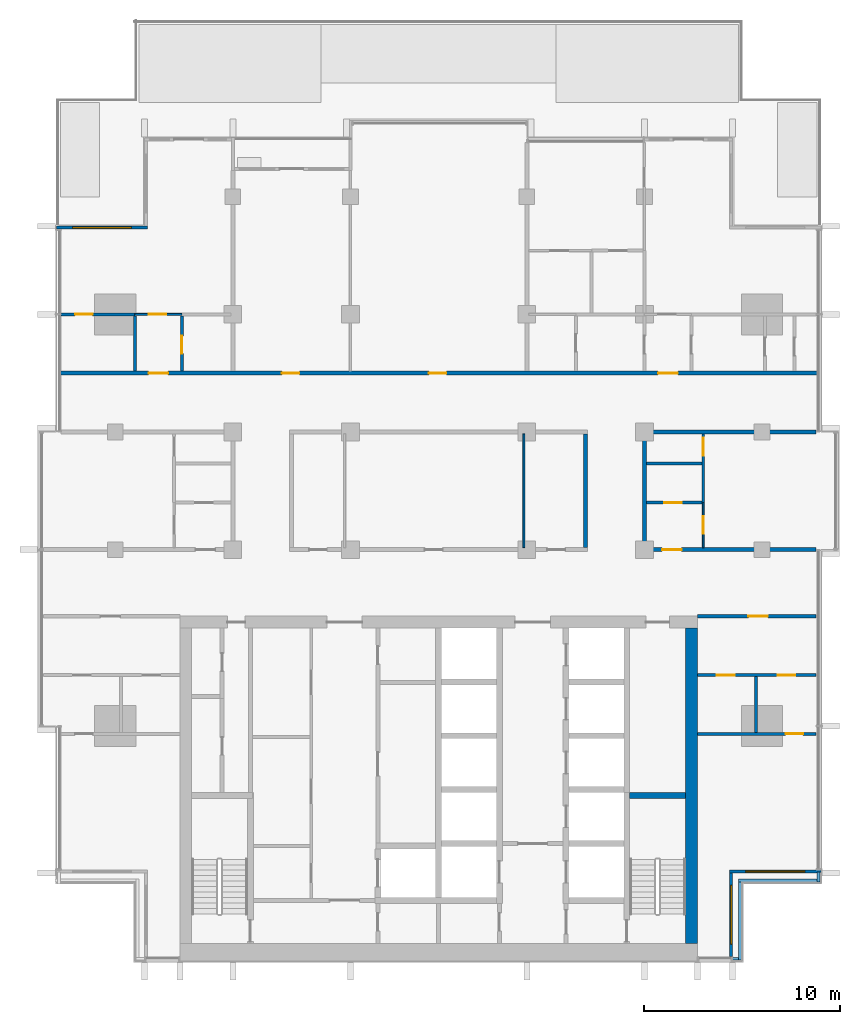
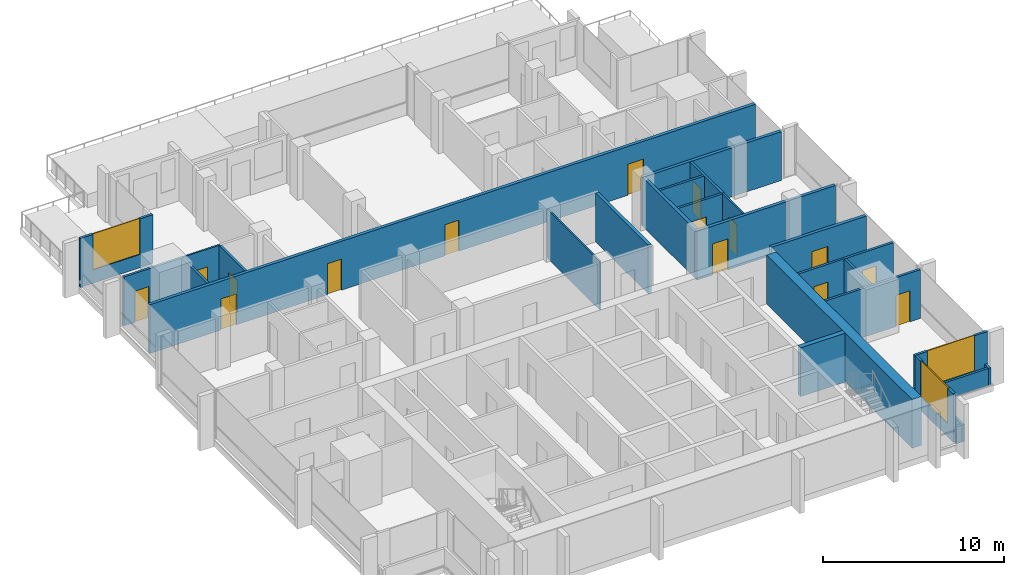
# One storey, part 9 of 17: 27 walls, 15 doors, 3 windows, 18 openings.
"""IFC4 building model written with IfcOpenShell, lengths in metres."""

from ifc_helpers import new_model, si_unit, direction, frame, frame_2d, origin, place, context, subcontext, project, spatial, rectangle, extrude, material, layer, layer_set, type_object, element, fill, save


model = new_model("IFC4")

# Units and contexts
model_context = context("Model", 3, precision=1e-05, world=origin(), true_north=direction((0.0, 1.0)))
body_context = subcontext(model_context, "Body", "Model", "MODEL_VIEW")
ifc_project = project(units=[si_unit("LENGTHUNIT", "METRE"), si_unit("AREAUNIT", "SQUARE_METRE"), si_unit("VOLUMEUNIT", "CUBIC_METRE"), si_unit("PLANEANGLEUNIT", "RADIAN"), si_unit("MASSUNIT", "GRAM", prefix="KILO")], contexts=[model_context])

# Site, building, storey
site_placement = place(None, origin())
site = spatial("IfcSite", under=ifc_project, at=site_placement, CompositionType="ELEMENT")
building_placement = place(site_placement, origin())
building = spatial("IfcBuilding", under=site, at=building_placement, Name="Finial Court Residences", CompositionType="ELEMENT")
storey_placement = place(building_placement, frame((0.0, 0.0, 205.10009765625)))
storey = spatial("IfcBuildingStorey", under=building, at=storey_placement, Name="L51", CompositionType="ELEMENT", Elevation=205.10009765625)

# Wall
ifc_material_1 = material(Name="Concrete C60/75", Category="concrete")
ifc_layer_1 = layer(ifc_material_1, 0.60009765625)
ifc_layer_set_1 = layer_set([ifc_layer_1], Name="Core outer wall 600 Concrete C60/75")
wall_type_1 = type_object("IfcWallType", Name="Core outer wall 600 Concrete C60/75", PredefinedType="SHEAR", material=ifc_layer_set_1)
wall_1_placement = place(storey_placement, frame((12.89990234375, -24.60009765625, 0.0), z_axis=(0.0, 0.0, 1.0), x_axis=(0.0, 1.0, 0.0)))
element("IfcWall", 1, at=wall_1_placement, inside=storey, type_object=wall_type_1, Name="Core outer wall L51-04", PredefinedType="SHEAR", context=body_context, shape_type="SweptSolid", body=[
    extrude(rectangle(XDim=16.10009765625, YDim=0.60009765625, at=frame_2d((8.050048828125, 0.0))), origin(), (0.0, 0.0, 1.0), 3.2998046875),
])

# Wall, opening, door
ifc_material_2 = material(Name="Gypsum board")
ifc_layer_2 = layer(ifc_material_2, 0.02490234375)
ifc_material_3 = material(Name="Acoustic mineral wool in double frame")
ifc_layer_3 = layer(ifc_material_3, 0.14990234375)
ifc_layer_4 = layer(ifc_material_2, 0.02490234375)
ifc_layer_set_2 = layer_set([ifc_layer_2, ifc_layer_3, ifc_layer_4], Name="Corridor wall 200, 1 hour")
wall_type_2 = type_object("IfcWallType", Name="Corridor wall 200, 1 hour", PredefinedType="PARTITIONING", material=ifc_layer_set_2)
wall_2_placement = place(storey_placement, frame((13.199951171875, -7.89990234375, 0.0), z_axis=(0.0, 0.0, 1.0), x_axis=(1.0, 0.0, 0.0)))
wall_2 = element("IfcWall", 2, at=wall_2_placement, inside=storey, type_object=wall_type_2, Name="Partition L51-005", PredefinedType="PARTITIONING", context=body_context, shape_type="SweptSolid", body=[
    extrude(rectangle(XDim=6.0625, YDim=0.199951171875, at=frame_2d((3.03125, 0.0))), origin(), (0.0, 0.0, 1.0), 3.2998046875),
])
opening_1_placement = place(wall_2_placement, frame((2.60009765625, 0.0, 0.0)))
opening_1 = element("IfcOpeningElement", 3, at=opening_1_placement, cuts=wall_2, Name="Opening L51-D008", PredefinedType="OPENING", context=body_context, shape_type="SweptSolid", body=[
    extrude(rectangle(XDim=1.0, YDim=2.10009765625, at=frame_2d((0.5, 1.050048828125))), frame((0.0, 0.10986328125, 0.0), z_axis=(0.0, -1.0, 0.0), x_axis=(1.0, 0.0, 0.0)), (0.0, 0.0, 1.0), 0.219970703125),
])
ifc_material_4 = material(Name="Timber door leaf in hollow metal frame", Category="wood")
door_type_1 = type_object("IfcDoorType", Name="Fire door set 1000 x 2100, 30 minutes", OperationType="SINGLE_SWING_LEFT", PredefinedType="DOOR", material=ifc_material_4)
door_1_placement = place(opening_1_placement, origin())
door_1 = element("IfcDoor", 4, at=door_1_placement, inside=storey, type_object=door_type_1, Name="Door L51-D008", OperationType="SINGLE_SWING_RIGHT", OverallHeight=2.10009765625, OverallWidth=1.0, PredefinedType="DOOR", context=body_context, shape_type="SweptSolid", body=[
    extrude(rectangle(XDim=1.0, YDim=2.10009765625, at=frame_2d((0.5, 1.050048828125))), frame((0.0, 0.02490234375, 0.0), z_axis=(0.0, -1.0, 0.0), x_axis=(1.0, 0.0, 0.0)), (0.0, 0.0, 1.0), 0.050048828125),
])
fill(opening_1, door_1)

wall_3_placement = place(storey_placement, frame((10.39990234375, -4.5, 0.0), z_axis=(0.0, 0.0, 1.0), x_axis=(1.0, 0.0, 0.0)))
wall_3 = element("IfcWall", 5, at=wall_3_placement, inside=storey, type_object=wall_type_2, Name="Partition L51-008", PredefinedType="PARTITIONING", context=body_context, shape_type="SweptSolid", body=[
    extrude(rectangle(XDim=8.862548828125, YDim=0.199951171875, at=frame_2d((4.43115234375, 0.0))), origin(), (0.0, 0.0, 1.0), 3.2998046875),
])
opening_2_placement = place(wall_3_placement, frame((1.0, 0.0, 0.0)))
opening_2 = element("IfcOpeningElement", 6, at=opening_2_placement, cuts=wall_3, Name="Opening L51-D013", PredefinedType="OPENING", context=body_context, shape_type="SweptSolid", body=[
    extrude(rectangle(XDim=1.0, YDim=2.10009765625, at=frame_2d((0.5, 1.050048828125))), frame((0.0, 0.10986328125, 0.0), z_axis=(0.0, -1.0, 0.0), x_axis=(1.0, 0.0, 0.0)), (0.0, 0.0, 1.0), 0.219970703125),
])
door_2_placement = place(opening_2_placement, origin())
door_2 = element("IfcDoor", 7, at=door_2_placement, inside=storey, type_object=door_type_1, Name="Door L51-D013", OperationType="SINGLE_SWING_RIGHT", OverallHeight=2.10009765625, OverallWidth=1.0, PredefinedType="DOOR", context=body_context, shape_type="SweptSolid", body=[
    extrude(rectangle(XDim=1.0, YDim=2.10009765625, at=frame_2d((0.5, 1.050048828125))), frame((0.0, 0.02490234375, 0.0), z_axis=(0.0, -1.0, 0.0), x_axis=(1.0, 0.0, 0.0)), (0.0, 0.0, 1.0), 0.050048828125),
])
fill(opening_2, door_2)

# Wall
wall_4_placement = place(storey_placement, frame((10.39990234375, 1.5, 0.0), z_axis=(0.0, 0.0, 1.0), x_axis=(1.0, 0.0, 0.0)))
element("IfcWall", 8, at=wall_4_placement, inside=storey, type_object=wall_type_2, Name="Partition L51-015", PredefinedType="PARTITIONING", context=body_context, shape_type="SweptSolid", body=[
    extrude(rectangle(XDim=8.862548828125, YDim=0.199951171875, at=frame_2d((4.43115234375, 0.0))), origin(), (0.0, 0.0, 1.0), 3.2998046875),
])

# Wall, openings, doors
wall_5_placement = place(storey_placement, frame((-19.35009765625, 4.5, 0.0), z_axis=(0.0, 0.0, 1.0), x_axis=(1.0, 0.0, 0.0)))
wall_5 = element("IfcWall", 9, at=wall_5_placement, inside=storey, type_object=wall_type_2, Name="Partition L51-016", PredefinedType="PARTITIONING", context=body_context, shape_type="SweptSolid", body=[
    extrude(rectangle(XDim=38.7001953125, YDim=0.199951171875, at=frame_2d((19.35009765625, 0.0))), origin(), (0.0, 0.0, 1.0), 3.2998046875),
])
opening_3_placement = place(wall_5_placement, frame((4.550048828125, 0.0, 0.0)))
opening_3 = element("IfcOpeningElement", 10, at=opening_3_placement, cuts=wall_5, Name="Opening L51-D016", PredefinedType="OPENING", context=body_context, shape_type="SweptSolid", body=[
    extrude(rectangle(XDim=1.0, YDim=2.10009765625, at=frame_2d((0.5, 1.050048828125))), frame((0.0, 0.10986328125, 0.0), z_axis=(0.0, -1.0, 0.0), x_axis=(1.0, 0.0, 0.0)), (0.0, 0.0, 1.0), 0.219970703125),
])
opening_4_placement = place(wall_5_placement, frame((11.35009765625, 0.0, 0.0)))
opening_4 = element("IfcOpeningElement", 11, at=opening_4_placement, cuts=wall_5, Name="Opening L51-D017", PredefinedType="OPENING", context=body_context, shape_type="SweptSolid", body=[
    extrude(rectangle(XDim=0.89990234375, YDim=2.10009765625, at=frame_2d((0.449951171875, 1.050048828125))), frame((0.0, 0.10986328125, 0.0), z_axis=(0.0, -1.0, 0.0), x_axis=(1.0, 0.0, 0.0)), (0.0, 0.0, 1.0), 0.219970703125),
])
opening_5_placement = place(wall_5_placement, frame((18.85009765625, 0.0, 0.0)))
opening_5 = element("IfcOpeningElement", 12, at=opening_5_placement, cuts=wall_5, Name="Opening L51-D018", PredefinedType="OPENING", context=body_context, shape_type="SweptSolid", body=[
    extrude(rectangle(XDim=0.89990234375, YDim=2.10009765625, at=frame_2d((0.449951171875, 1.050048828125))), frame((0.0, 0.10986328125, 0.0), z_axis=(0.0, -1.0, 0.0), x_axis=(1.0, 0.0, 0.0)), (0.0, 0.0, 1.0), 0.219970703125),
])
opening_6_placement = place(wall_5_placement, frame((30.550048828125, 0.0, 0.0)))
opening_6 = element("IfcOpeningElement", 13, at=opening_6_placement, cuts=wall_5, Name="Opening L51-D019", PredefinedType="OPENING", context=body_context, shape_type="SweptSolid", body=[
    extrude(rectangle(XDim=1.0, YDim=2.10009765625, at=frame_2d((0.5, 1.050048828125))), frame((0.0, 0.10986328125, 0.0), z_axis=(0.0, -1.0, 0.0), x_axis=(1.0, 0.0, 0.0)), (0.0, 0.0, 1.0), 0.219970703125),
])
door_3_placement = place(opening_3_placement, origin())
door_3 = element("IfcDoor", 14, at=door_3_placement, inside=storey, type_object=door_type_1, Name="Door L51-D016", OperationType="SINGLE_SWING_RIGHT", OverallHeight=2.10009765625, OverallWidth=1.0, PredefinedType="DOOR", context=body_context, shape_type="SweptSolid", body=[
    extrude(rectangle(XDim=1.0, YDim=2.10009765625, at=frame_2d((0.5, 1.050048828125))), frame((0.0, 0.02490234375, 0.0), z_axis=(0.0, -1.0, 0.0), x_axis=(1.0, 0.0, 0.0)), (0.0, 0.0, 1.0), 0.050048828125),
])
fill(opening_3, door_3)
door_4_placement = place(opening_6_placement, origin())
door_4 = element("IfcDoor", 15, at=door_4_placement, inside=storey, type_object=door_type_1, Name="Door L51-D019", OperationType="SINGLE_SWING_LEFT", OverallHeight=2.10009765625, OverallWidth=1.0, PredefinedType="DOOR", context=body_context, shape_type="SweptSolid", body=[
    extrude(rectangle(XDim=1.0, YDim=2.10009765625, at=frame_2d((0.5, 1.050048828125))), frame((0.0, 0.02490234375, 0.0), z_axis=(0.0, -1.0, 0.0), x_axis=(1.0, 0.0, 0.0)), (0.0, 0.0, 1.0), 0.050048828125),
])
fill(opening_6, door_4)
door_type_2 = type_object("IfcDoorType", Name="Fire door set 900 x 2100, 30 minutes", OperationType="SINGLE_SWING_LEFT", PredefinedType="DOOR", material=ifc_material_4)
door_5_placement = place(opening_4_placement, origin())
door_5 = element("IfcDoor", 16, at=door_5_placement, inside=storey, type_object=door_type_2, Name="Door L51-D017", OperationType="SINGLE_SWING_RIGHT", OverallHeight=2.10009765625, OverallWidth=0.89990234375, PredefinedType="DOOR", context=body_context, shape_type="SweptSolid", body=[
    extrude(rectangle(XDim=0.89990234375, YDim=2.10009765625, at=frame_2d((0.449951171875, 1.050048828125))), frame((0.0, 0.02490234375, 0.0), z_axis=(0.0, -1.0, 0.0), x_axis=(1.0, 0.0, 0.0)), (0.0, 0.0, 1.0), 0.050048828125),
])
fill(opening_4, door_5)
door_6_placement = place(opening_5_placement, origin())
door_6 = element("IfcDoor", 17, at=door_6_placement, inside=storey, type_object=door_type_2, Name="Door L51-D018", OperationType="SINGLE_SWING_LEFT", OverallHeight=2.10009765625, OverallWidth=0.89990234375, PredefinedType="DOOR", context=body_context, shape_type="SweptSolid", body=[
    extrude(rectangle(XDim=0.89990234375, YDim=2.10009765625, at=frame_2d((0.449951171875, 1.050048828125))), frame((0.0, 0.02490234375, 0.0), z_axis=(0.0, -1.0, 0.0), x_axis=(1.0, 0.0, 0.0)), (0.0, 0.0, 1.0), 0.050048828125),
])
fill(opening_5, door_6)

# Walls
for number, where, z_axis, x_axis, name in (
    (18, (7.5, -4.39990234375, 0.0), (0.0, 0.0, 1.0), (0.0, 1.0, 0.0), "Partition L51-039"),
    (19, (10.5, -4.39990234375, 0.0), (0.0, 0.0, 1.0), (0.0, 1.0, 0.0), "Partition L51-041"),
):
    element("IfcWall", number, at=place(storey_placement, frame(where, z_axis=z_axis, x_axis=x_axis)), inside=storey, type_object=wall_type_2, Name=name, PredefinedType="PARTITIONING", context=body_context, shape_type="SweptSolid", body=[
        extrude(rectangle(XDim=5.7998046875, YDim=0.199951171875, at=frame_2d((2.89990234375, 0.0))), origin(), (0.0, 0.0, 1.0), 3.2998046875),
    ])

# Wall, opening, door
ifc_layer_5 = layer(ifc_material_2, 0.012451171875)
ifc_material_5 = material(Name="Mineral wool in light-gauge frame")
ifc_layer_6 = layer(ifc_material_5, 0.074951171875)
ifc_layer_7 = layer(ifc_material_2, 0.012451171875)
ifc_layer_set_3 = layer_set([ifc_layer_5, ifc_layer_6, ifc_layer_7], Name="Gypsum board partition 100")
wall_type_3 = type_object("IfcWallType", Name="Gypsum board partition 100", PredefinedType="PARTITIONING", material=ifc_layer_set_3)
wall_6_placement = place(storey_placement, frame((-15.5, 7.5, 0.0), z_axis=(0.0, 0.0, 1.0), x_axis=(1.0, 0.0, 0.0)))
wall_6 = element("IfcWall", 20, at=wall_6_placement, inside=storey, type_object=wall_type_3, Name="Partition L51-017", PredefinedType="PARTITIONING", context=body_context, shape_type="SweptSolid", body=[
    extrude(rectangle(XDim=2.39990234375, YDim=0.10009765625, at=frame_2d((1.199951171875, 0.0))), origin(), (0.0, 0.0, 1.0), 3.2998046875),
])
opening_7_placement = place(wall_6_placement, frame((0.699951171875, 0.0, 0.0)))
opening_7 = element("IfcOpeningElement", 21, at=opening_7_placement, cuts=wall_6, Name="Opening L51-D020", PredefinedType="OPENING", context=body_context, shape_type="SweptSolid", body=[
    extrude(rectangle(XDim=0.89990234375, YDim=2.10009765625, at=frame_2d((0.449951171875, 1.050048828125))), frame((0.0, 0.06005859375, 0.0), z_axis=(0.0, -1.0, 0.0), x_axis=(1.0, 0.0, 0.0)), (0.0, 0.0, 1.0), 0.1201171875),
])
ifc_material_6 = material(Name="Timber door leaf in timber frame", Category="wood")
door_type_3 = type_object("IfcDoorType", Name="Door set 900 x 2100", OperationType="SINGLE_SWING_LEFT", PredefinedType="DOOR", material=ifc_material_6)
door_7_placement = place(opening_7_placement, origin())
door_7 = element("IfcDoor", 22, at=door_7_placement, inside=storey, type_object=door_type_3, Name="Door L51-D020", OperationType="SINGLE_SWING_RIGHT", OverallHeight=2.10009765625, OverallWidth=0.89990234375, PredefinedType="DOOR", context=body_context, shape_type="SweptSolid", body=[
    extrude(rectangle(XDim=0.89990234375, YDim=2.10009765625, at=frame_2d((0.449951171875, 1.050048828125))), frame((0.0, 0.02490234375, 0.0), z_axis=(0.0, -1.0, 0.0), x_axis=(1.0, 0.0, 0.0)), (0.0, 0.0, 1.0), 0.050048828125),
])
fill(opening_7, door_7)

# Wall
wall_7_placement = place(storey_placement, frame((4.35009765625, -4.39990234375, 0.0), z_axis=(0.0, 0.0, 1.0), x_axis=(0.0, 1.0, 0.0)))
element("IfcWall", 23, at=wall_7_placement, inside=storey, type_object=wall_type_3, Name="Partition L51-036", PredefinedType="PARTITIONING", context=body_context, shape_type="SweptSolid", body=[
    extrude(rectangle(XDim=5.7998046875, YDim=0.10009765625, at=frame_2d((2.89990234375, 0.0))), origin(), (0.0, 0.0, 1.0), 3.2998046875),
])

# Wall, opening, door
wall_8_placement = place(storey_placement, frame((13.5, -4.39990234375, 0.0), z_axis=(0.0, 0.0, 1.0), x_axis=(0.0, 1.0, 0.0)))
wall_8 = element("IfcWall", 24, at=wall_8_placement, inside=storey, type_object=wall_type_3, Name="Partition L51-046", PredefinedType="PARTITIONING", context=body_context, shape_type="SweptSolid", body=[
    extrude(rectangle(XDim=2.2998046875, YDim=0.10009765625, at=frame_2d((1.14990234375, 0.0))), origin(), (0.0, 0.0, 1.0), 3.2998046875),
])
opening_8_placement = place(wall_8_placement, frame((0.699951171875, 0.0, 0.0)))
opening_8 = element("IfcOpeningElement", 25, at=opening_8_placement, cuts=wall_8, Name="Opening L51-D032", PredefinedType="OPENING", context=body_context, shape_type="SweptSolid", body=[
    extrude(rectangle(XDim=0.89990234375, YDim=2.10009765625, at=frame_2d((0.449951171875, 1.050048828125))), frame((0.0, 0.06005859375, 0.0), z_axis=(0.0, -1.0, 0.0), x_axis=(1.0, 0.0, 0.0)), (0.0, 0.0, 1.0), 0.1201171875),
])
door_8_placement = place(opening_8_placement, origin())
door_8 = element("IfcDoor", 26, at=door_8_placement, inside=storey, type_object=door_type_3, Name="Door L51-D032", OperationType="SINGLE_SWING_LEFT", OverallHeight=2.10009765625, OverallWidth=0.89990234375, PredefinedType="DOOR", context=body_context, shape_type="SweptSolid", body=[
    extrude(rectangle(XDim=0.89990234375, YDim=2.10009765625, at=frame_2d((0.449951171875, 1.050048828125))), frame((0.0, 0.02490234375, 0.0), z_axis=(0.0, -1.0, 0.0), x_axis=(1.0, 0.0, 0.0)), (0.0, 0.0, 1.0), 0.050048828125),
])
fill(opening_8, door_8)

ifc_material_7 = material(Name="Moisture-resistant gypsum board")
ifc_layer_8 = layer(ifc_material_7, 0.012451171875)
ifc_layer_9 = layer(ifc_material_5, 0.125)
ifc_layer_10 = layer(ifc_material_7, 0.012451171875)
ifc_layer_set_4 = layer_set([ifc_layer_8, ifc_layer_9, ifc_layer_10], Name="Gypsum board wet-area partition 150")
wall_type_4 = type_object("IfcWallType", Name="Gypsum board wet-area partition 150", PredefinedType="PARTITIONING", material=ifc_layer_set_4)
wall_9_placement = place(storey_placement, frame((13.199951171875, -13.89990234375, 0.0), z_axis=(0.0, 0.0, 1.0), x_axis=(1.0, 0.0, 0.0)))
wall_9 = element("IfcWall", 27, at=wall_9_placement, inside=storey, type_object=wall_type_4, Name="Partition L51-001", PredefinedType="PARTITIONING", context=body_context, shape_type="SweptSolid", body=[
    extrude(rectangle(XDim=6.0625, YDim=0.14990234375, at=frame_2d((3.03125, 0.0))), origin(), (0.0, 0.0, 1.0), 3.2998046875),
])
opening_9_placement = place(wall_9_placement, frame((4.5, 0.0, 0.0)))
opening_9 = element("IfcOpeningElement", 28, at=opening_9_placement, cuts=wall_9, Name="Opening L51-D002", PredefinedType="OPENING", context=body_context, shape_type="SweptSolid", body=[
    extrude(rectangle(XDim=0.89990234375, YDim=2.10009765625, at=frame_2d((0.449951171875, 1.050048828125))), frame((0.0, 0.0849609375, 0.0), z_axis=(0.0, -1.0, 0.0), x_axis=(1.0, 0.0, 0.0)), (0.0, 0.0, 1.0), 0.169921875),
])
door_9_placement = place(opening_9_placement, origin())
door_9 = element("IfcDoor", 29, at=door_9_placement, inside=storey, type_object=door_type_3, Name="Door L51-D002", OperationType="SINGLE_SWING_RIGHT", OverallHeight=2.10009765625, OverallWidth=0.89990234375, PredefinedType="DOOR", context=body_context, shape_type="SweptSolid", body=[
    extrude(rectangle(XDim=0.89990234375, YDim=2.10009765625, at=frame_2d((0.449951171875, 1.050048828125))), frame((0.0, 0.02490234375, 0.0), z_axis=(0.0, -1.0, 0.0), x_axis=(1.0, 0.0, 0.0)), (0.0, 0.0, 1.0), 0.050048828125),
])
fill(opening_9, door_9)

# Wall, openings, doors
wall_10_placement = place(storey_placement, frame((13.199951171875, -10.89990234375, 0.0), z_axis=(0.0, 0.0, 1.0), x_axis=(1.0, 0.0, 0.0)))
wall_10 = element("IfcWall", 30, at=wall_10_placement, inside=storey, type_object=wall_type_4, Name="Partition L51-003", PredefinedType="PARTITIONING", context=body_context, shape_type="SweptSolid", body=[
    extrude(rectangle(XDim=6.0625, YDim=0.14990234375, at=frame_2d((3.03125, 0.0))), origin(), (0.0, 0.0, 1.0), 3.2998046875),
])
opening_10_placement = place(wall_10_placement, frame((1.0, 0.0, 0.0)))
opening_10 = element("IfcOpeningElement", 31, at=opening_10_placement, cuts=wall_10, Name="Opening L51-D005", PredefinedType="OPENING", context=body_context, shape_type="SweptSolid", body=[
    extrude(rectangle(XDim=0.89990234375, YDim=2.10009765625, at=frame_2d((0.449951171875, 1.050048828125))), frame((0.0, 0.0849609375, 0.0), z_axis=(0.0, -1.0, 0.0), x_axis=(1.0, 0.0, 0.0)), (0.0, 0.0, 1.0), 0.169921875),
])
opening_11_placement = place(wall_10_placement, frame((4.10009765625, 0.0, 0.0)))
opening_11 = element("IfcOpeningElement", 32, at=opening_11_placement, cuts=wall_10, Name="Opening L51-D006", PredefinedType="OPENING", context=body_context, shape_type="SweptSolid", body=[
    extrude(rectangle(XDim=0.89990234375, YDim=2.10009765625, at=frame_2d((0.449951171875, 1.050048828125))), frame((0.0, 0.0849609375, 0.0), z_axis=(0.0, -1.0, 0.0), x_axis=(1.0, 0.0, 0.0)), (0.0, 0.0, 1.0), 0.169921875),
])
door_10_placement = place(opening_10_placement, origin())
door_10 = element("IfcDoor", 33, at=door_10_placement, inside=storey, type_object=door_type_3, Name="Door L51-D005", OperationType="SINGLE_SWING_LEFT", OverallHeight=2.10009765625, OverallWidth=0.89990234375, PredefinedType="DOOR", context=body_context, shape_type="SweptSolid", body=[
    extrude(rectangle(XDim=0.89990234375, YDim=2.10009765625, at=frame_2d((0.449951171875, 1.050048828125))), frame((0.0, 0.02490234375, 0.0), z_axis=(0.0, -1.0, 0.0), x_axis=(1.0, 0.0, 0.0)), (0.0, 0.0, 1.0), 0.050048828125),
])
fill(opening_10, door_10)
door_11_placement = place(opening_11_placement, origin())
door_11 = element("IfcDoor", 34, at=door_11_placement, inside=storey, type_object=door_type_3, Name="Door L51-D006", OperationType="SINGLE_SWING_RIGHT", OverallHeight=2.10009765625, OverallWidth=0.89990234375, PredefinedType="DOOR", context=body_context, shape_type="SweptSolid", body=[
    extrude(rectangle(XDim=0.89990234375, YDim=2.10009765625, at=frame_2d((0.449951171875, 1.050048828125))), frame((0.0, 0.02490234375, 0.0), z_axis=(0.0, -1.0, 0.0), x_axis=(1.0, 0.0, 0.0)), (0.0, 0.0, 1.0), 0.050048828125),
])
fill(opening_11, door_11)

# Wall, opening, door
wall_11_placement = place(storey_placement, frame((10.60009765625, -2.10009765625, 0.0), z_axis=(0.0, 0.0, 1.0), x_axis=(1.0, 0.0, 0.0)))
wall_11 = element("IfcWall", 35, at=wall_11_placement, inside=storey, type_object=wall_type_4, Name="Partition L51-010", PredefinedType="PARTITIONING", context=body_context, shape_type="SweptSolid", body=[
    extrude(rectangle(XDim=2.824951171875, YDim=0.14990234375, at=frame_2d((1.41259765625, 0.0))), origin(), (0.0, 0.0, 1.0), 3.2998046875),
])
opening_12_placement = place(wall_11_placement, frame((0.89990234375, 0.0, 0.0)))
opening_12 = element("IfcOpeningElement", 36, at=opening_12_placement, cuts=wall_11, Name="Opening L51-D015", PredefinedType="OPENING", context=body_context, shape_type="SweptSolid", body=[
    extrude(rectangle(XDim=0.89990234375, YDim=2.10009765625, at=frame_2d((0.449951171875, 1.050048828125))), frame((0.0, 0.0849609375, 0.0), z_axis=(0.0, -1.0, 0.0), x_axis=(1.0, 0.0, 0.0)), (0.0, 0.0, 1.0), 0.169921875),
])
door_12_placement = place(opening_12_placement, origin())
door_12 = element("IfcDoor", 37, at=door_12_placement, inside=storey, type_object=door_type_3, Name="Door L51-D015", OperationType="SINGLE_SWING_LEFT", OverallHeight=2.10009765625, OverallWidth=0.89990234375, PredefinedType="DOOR", context=body_context, shape_type="SweptSolid", body=[
    extrude(rectangle(XDim=0.89990234375, YDim=2.10009765625, at=frame_2d((0.449951171875, 1.050048828125))), frame((0.0, 0.02490234375, 0.0), z_axis=(0.0, -1.0, 0.0), x_axis=(1.0, 0.0, 0.0)), (0.0, 0.0, 1.0), 0.050048828125),
])
fill(opening_12, door_12)

# Wall
wall_12_placement = place(storey_placement, frame((10.60009765625, -0.10009765625, 0.0), z_axis=(0.0, 0.0, 1.0), x_axis=(1.0, 0.0, 0.0)))
element("IfcWall", 38, at=wall_12_placement, inside=storey, type_object=wall_type_4, Name="Partition L51-012", PredefinedType="PARTITIONING", context=body_context, shape_type="SweptSolid", body=[
    extrude(rectangle(XDim=2.824951171875, YDim=0.14990234375, at=frame_2d((1.41259765625, 0.0))), origin(), (0.0, 0.0, 1.0), 3.2998046875),
])

# Wall, opening, door
wall_13_placement = place(storey_placement, frame((-19.262451171875, 7.5, 0.0), z_axis=(0.0, 0.0, 1.0), x_axis=(1.0, 0.0, 0.0)))
wall_13 = element("IfcWall", 39, at=wall_13_placement, inside=storey, type_object=wall_type_4, Name="Partition L51-020", PredefinedType="PARTITIONING", context=body_context, shape_type="SweptSolid", body=[
    extrude(rectangle(XDim=3.762451171875, YDim=0.14990234375, at=frame_2d((1.88134765625, 0.0))), origin(), (0.0, 0.0, 1.0), 3.2998046875),
])
opening_13_placement = place(wall_13_placement, frame((0.7119140625, 0.0, 0.0)))
opening_13 = element("IfcOpeningElement", 40, at=opening_13_placement, cuts=wall_13, Name="Opening L51-D022", PredefinedType="OPENING", context=body_context, shape_type="SweptSolid", body=[
    extrude(rectangle(XDim=0.89990234375, YDim=2.10009765625, at=frame_2d((0.449951171875, 1.050048828125))), frame((0.0, 0.0849609375, 0.0), z_axis=(0.0, -1.0, 0.0), x_axis=(1.0, 0.0, 0.0)), (0.0, 0.0, 1.0), 0.169921875),
])
door_13_placement = place(opening_13_placement, origin())
door_13 = element("IfcDoor", 41, at=door_13_placement, inside=storey, type_object=door_type_3, Name="Door L51-D022", OperationType="SINGLE_SWING_LEFT", OverallHeight=2.10009765625, OverallWidth=0.89990234375, PredefinedType="DOOR", context=body_context, shape_type="SweptSolid", body=[
    extrude(rectangle(XDim=0.89990234375, YDim=2.10009765625, at=frame_2d((0.449951171875, 1.050048828125))), frame((0.0, 0.02490234375, 0.0), z_axis=(0.0, -1.0, 0.0), x_axis=(1.0, 0.0, 0.0)), (0.0, 0.0, 1.0), 0.050048828125),
])
fill(opening_13, door_13)

# Wall
wall_14_placement = place(storey_placement, frame((-15.5, 4.60009765625, 0.0), z_axis=(0.0, 0.0, 1.0), x_axis=(0.0, 1.0, 0.0)))
element("IfcWall", 42, at=wall_14_placement, inside=storey, type_object=wall_type_4, Name="Partition L51-027", PredefinedType="PARTITIONING", context=body_context, shape_type="SweptSolid", body=[
    extrude(rectangle(XDim=2.824951171875, YDim=0.14990234375, at=frame_2d((1.41259765625, 0.0))), origin(), (0.0, 0.0, 1.0), 3.2998046875),
])

# Wall, opening, door
wall_15_placement = place(storey_placement, frame((-13.10009765625, 4.60009765625, 0.0), z_axis=(0.0, 0.0, 1.0), x_axis=(0.0, 1.0, 0.0)))
wall_15 = element("IfcWall", 43, at=wall_15_placement, inside=storey, type_object=wall_type_4, Name="Partition L51-030", PredefinedType="PARTITIONING", context=body_context, shape_type="SweptSolid", body=[
    extrude(rectangle(XDim=2.824951171875, YDim=0.14990234375, at=frame_2d((1.41259765625, 0.0))), origin(), (0.0, 0.0, 1.0), 3.2998046875),
])
opening_14_placement = place(wall_15_placement, frame((0.89990234375, 0.0, 0.0)))
opening_14 = element("IfcOpeningElement", 44, at=opening_14_placement, cuts=wall_15, Name="Opening L51-D027", PredefinedType="OPENING", context=body_context, shape_type="SweptSolid", body=[
    extrude(rectangle(XDim=0.89990234375, YDim=2.10009765625, at=frame_2d((0.449951171875, 1.050048828125))), frame((0.0, 0.0849609375, 0.0), z_axis=(0.0, -1.0, 0.0), x_axis=(1.0, 0.0, 0.0)), (0.0, 0.0, 1.0), 0.169921875),
])
door_14_placement = place(opening_14_placement, origin())
door_14 = element("IfcDoor", 45, at=door_14_placement, inside=storey, type_object=door_type_3, Name="Door L51-D027", OperationType="SINGLE_SWING_LEFT", OverallHeight=2.10009765625, OverallWidth=0.89990234375, PredefinedType="DOOR", context=body_context, shape_type="SweptSolid", body=[
    extrude(rectangle(XDim=0.89990234375, YDim=2.10009765625, at=frame_2d((0.449951171875, 1.050048828125))), frame((0.0, 0.02490234375, 0.0), z_axis=(0.0, -1.0, 0.0), x_axis=(1.0, 0.0, 0.0)), (0.0, 0.0, 1.0), 0.050048828125),
])
fill(opening_14, door_14)

wall_16_placement = place(storey_placement, frame((13.5, -2.10009765625, 0.0), z_axis=(0.0, 0.0, 1.0), x_axis=(0.0, 1.0, 0.0)))
wall_16 = element("IfcWall", 46, at=wall_16_placement, inside=storey, type_object=wall_type_4, Name="Partition L51-047", PredefinedType="PARTITIONING", context=body_context, shape_type="SweptSolid", body=[
    extrude(rectangle(XDim=3.5, YDim=0.14990234375, at=frame_2d((1.75, 0.0))), origin(), (0.0, 0.0, 1.0), 3.2998046875),
])
opening_15_placement = place(wall_16_placement, frame((2.39990234375, 0.0, 0.0)))
opening_15 = element("IfcOpeningElement", 47, at=opening_15_placement, cuts=wall_16, Name="Opening L51-D033", PredefinedType="OPENING", context=body_context, shape_type="SweptSolid", body=[
    extrude(rectangle(XDim=0.89990234375, YDim=2.10009765625, at=frame_2d((0.449951171875, 1.050048828125))), frame((0.0, 0.0849609375, 0.0), z_axis=(0.0, -1.0, 0.0), x_axis=(1.0, 0.0, 0.0)), (0.0, 0.0, 1.0), 0.169921875),
])
door_15_placement = place(opening_15_placement, origin())
door_15 = element("IfcDoor", 48, at=door_15_placement, inside=storey, type_object=door_type_3, Name="Door L51-D033", OperationType="SINGLE_SWING_LEFT", OverallHeight=2.10009765625, OverallWidth=0.89990234375, PredefinedType="DOOR", context=body_context, shape_type="SweptSolid", body=[
    extrude(rectangle(XDim=0.89990234375, YDim=2.10009765625, at=frame_2d((0.449951171875, 1.050048828125))), frame((0.0, 0.02490234375, 0.0), z_axis=(0.0, -1.0, 0.0), x_axis=(1.0, 0.0, 0.0)), (0.0, 0.0, 1.0), 0.050048828125),
])
fill(opening_15, door_15)

# Walls
wall_17_placement = place(storey_placement, frame((16.199951171875, -13.824951171875, 0.0), z_axis=(0.0, 0.0, 1.0), x_axis=(0.0, 1.0, 0.0)))
element("IfcWall", 49, at=wall_17_placement, inside=storey, type_object=wall_type_4, Name="Partition L51-048", PredefinedType="PARTITIONING", context=body_context, shape_type="SweptSolid", body=[
    extrude(rectangle(XDim=2.849853515625, YDim=0.14990234375, at=frame_2d((1.4248046875, 0.0))), origin(), (0.0, 0.0, 1.0), 3.2998046875),
])
ifc_material_8 = material(Name="Concrete C35/45", Category="concrete")
ifc_layer_11 = layer(ifc_material_8, 0.14990234375)
ifc_layer_set_5 = layer_set([ifc_layer_11], Name="Ledge parapet, Concrete C35/45 150")
wall_type_5 = type_object("IfcWallType", Name="Ledge parapet, Concrete C35/45 150", PredefinedType="PARAPET", material=ifc_layer_set_5)
wall_18_placement = place(storey_placement, frame((19.375, -20.947509765625, 0.0), z_axis=(0.0, 0.0, 1.0), x_axis=(0.0, -1.0, 0.0)))
element("IfcWall", 50, at=wall_18_placement, inside=storey, type_object=wall_type_5, Name="E-L51-LED1-P1", PredefinedType="PARAPET", context=body_context, shape_type="SweptSolid", body=[
    extrude(rectangle(XDim=0.50244140625, YDim=0.14990234375, at=frame_2d((0.251220703125, 0.0))), origin(), (0.0, 0.0, 1.0), 1.14990234375),
])
for number, where, z_axis, x_axis, name in (
    (51, (19.300048828125, -21.375, 0.0), (0.0, 0.0, 1.0), (-1.0, 0.0, 0.0), "E-L51-LED1-P2"),
    (52, (15.375, -21.449951171875, 0.0), (0.0, 0.0, 1.0), (0.0, -1.0, 0.0), "E-L51-LED1-P3"),
):
    element("IfcWall", number, at=place(storey_placement, frame(where, z_axis=z_axis, x_axis=x_axis)), inside=storey, type_object=wall_type_5, Name=name, PredefinedType="PARAPET", context=body_context, shape_type="SweptSolid", body=[
        extrude(rectangle(XDim=4.0, YDim=0.14990234375, at=frame_2d((2.0, 0.0))), origin(), (0.0, 0.0, 1.0), 1.14990234375),
    ])
wall_19_placement = place(storey_placement, frame((15.300048828125, -25.375, 0.0), z_axis=(0.0, 0.0, 1.0), x_axis=(-1.0, 0.0, 0.0)))
element("IfcWall", 53, at=wall_19_placement, inside=storey, type_object=wall_type_5, Name="E-L51-LED1-P4", PredefinedType="PARAPET", context=body_context, shape_type="SweptSolid", body=[
    extrude(rectangle(XDim=0.3525390625, YDim=0.14990234375, at=frame_2d((0.17626953125, 0.0))), origin(), (0.0, 0.0, 1.0), 1.14990234375),
])
ifc_layer_12 = layer(ifc_material_1, 0.300048828125)
ifc_layer_set_6 = layer_set([ifc_layer_12], Name="Lift shaft and stair wall 300 Concrete C60/75")
wall_type_6 = type_object("IfcWallType", Name="Lift shaft and stair wall 300 Concrete C60/75", PredefinedType="SHEAR", material=ifc_layer_set_6)
wall_20_placement = place(storey_placement, frame((9.75, -17.050048828125, 0.0), z_axis=(0.0, 0.0, 1.0), x_axis=(1.0, 0.0, 0.0)))
element("IfcWall", 54, at=wall_20_placement, inside=storey, type_object=wall_type_6, Name="Core wall L51-10", PredefinedType="SHEAR", context=body_context, shape_type="SweptSolid", body=[
    extrude(rectangle(XDim=2.85009765625, YDim=0.300048828125, at=frame_2d((1.425048828125, 0.0))), origin(), (0.0, 0.0, 1.0), 3.2998046875),
])

# Wall, opening, window
ifc_material_9 = material(Name="Natural limestone", Category="masonry")
ifc_layer_13 = layer(ifc_material_9, 0.14990234375)
ifc_layer_set_7 = layer_set([ifc_layer_13], Name="Limestone clad wall 150")
wall_type_7 = type_object("IfcWallType", Name="Limestone clad wall 150", PredefinedType="SOLIDWALL", material=ifc_layer_set_7)
wall_21_placement = place(storey_placement, frame((14.925048828125, -21.0, 0.0), z_axis=(0.0, 0.0, 1.0), x_axis=(0.0, -1.0, 0.0)))
wall_21 = element("IfcWall", 55, at=wall_21_placement, inside=storey, type_object=wall_type_7, Name="E-L51-NWE14", PredefinedType="SOLIDWALL", context=body_context, shape_type="SweptSolid", body=[
    extrude(rectangle(XDim=4.262451171875, YDim=0.14990234375, at=frame_2d((2.13134765625, 0.0))), origin(), (0.0, 0.0, 1.0), 3.2998046875),
])
opening_16_placement = place(wall_21_placement, frame((0.63134765625, 0.0, 0.89990234375)))
opening_16 = element("IfcOpeningElement", 56, at=opening_16_placement, cuts=wall_21, Name="Opening WE51-03", PredefinedType="OPENING", context=body_context, shape_type="SweptSolid", body=[
    extrude(rectangle(XDim=3.0, YDim=2.39990234375, at=frame_2d((1.5, 1.199951171875))), frame((0.0, 0.0849609375, 0.0), z_axis=(0.0, -1.0, 0.0), x_axis=(1.0, 0.0, 0.0)), (0.0, 0.0, 1.0), 0.169921875),
])
ifc_material_10 = material(Name="Clear low-e glass", Category="glass")
window_type = type_object("IfcWindowType", Name="Corner window 3000 x 2400", PartitioningType="SINGLE_PANEL", PredefinedType="WINDOW", material=ifc_material_10)
window_1_placement = place(opening_16_placement, origin())
window_1 = element("IfcWindow", 57, at=window_1_placement, inside=storey, type_object=window_type, Name="E-L51-NWE14-W1", OverallHeight=2.39990234375, OverallWidth=3.0, PartitioningType="SINGLE_PANEL", PredefinedType="WINDOW", context=body_context, shape_type="SweptSolid", body=[
    extrude(rectangle(XDim=3.0, YDim=2.39990234375, at=frame_2d((1.5, 1.199951171875))), frame((0.0, 0.030029296875, 0.0), z_axis=(0.0, -1.0, 0.0), x_axis=(1.0, 0.0, 0.0)), (0.0, 0.0, 1.0), 0.06005859375),
])
fill(opening_16, window_1)

wall_22_placement = place(storey_placement, frame((19.5, -20.925048828125, 0.0), z_axis=(0.0, 0.0, 1.0), x_axis=(-1.0, 0.0, 0.0)))
wall_22 = element("IfcWall", 58, at=wall_22_placement, inside=storey, type_object=wall_type_7, Name="E-L51-NWS15", PredefinedType="SOLIDWALL", context=body_context, shape_type="SweptSolid", body=[
    extrude(rectangle(XDim=4.64990234375, YDim=0.14990234375, at=frame_2d((2.324951171875, 0.0))), origin(), (0.0, 0.0, 1.0), 3.2998046875),
])
opening_17_placement = place(wall_22_placement, frame((0.824951171875, 0.0, 0.89990234375)))
opening_17 = element("IfcOpeningElement", 59, at=opening_17_placement, cuts=wall_22, Name="Opening WE51-04", PredefinedType="OPENING", context=body_context, shape_type="SweptSolid", body=[
    extrude(rectangle(XDim=3.0, YDim=2.39990234375, at=frame_2d((1.5, 1.199951171875))), frame((0.0, 0.0849609375, 0.0), z_axis=(0.0, -1.0, 0.0), x_axis=(1.0, 0.0, 0.0)), (0.0, 0.0, 1.0), 0.169921875),
])
window_2_placement = place(opening_17_placement, origin())
window_2 = element("IfcWindow", 60, at=window_2_placement, inside=storey, type_object=window_type, Name="E-L51-NWS15-W1", OverallHeight=2.39990234375, OverallWidth=3.0, PartitioningType="SINGLE_PANEL", PredefinedType="WINDOW", context=body_context, shape_type="SweptSolid", body=[
    extrude(rectangle(XDim=3.0, YDim=2.39990234375, at=frame_2d((1.5, 1.199951171875))), frame((0.0, 0.030029296875, 0.0), z_axis=(0.0, -1.0, 0.0), x_axis=(1.0, 0.0, 0.0)), (0.0, 0.0, 1.0), 0.06005859375),
])
fill(opening_17, window_2)

wall_23_placement = place(storey_placement, frame((-19.5, 11.925048828125, 0.0), z_axis=(0.0, 0.0, 1.0), x_axis=(1.0, 0.0, 0.0)))
wall_23 = element("IfcWall", 61, at=wall_23_placement, inside=storey, type_object=wall_type_7, Name="E-L51-NWN17", PredefinedType="SOLIDWALL", context=body_context, shape_type="SweptSolid", body=[
    extrude(rectangle(XDim=4.64990234375, YDim=0.14990234375, at=frame_2d((2.324951171875, 0.0))), origin(), (0.0, 0.0, 1.0), 3.2998046875),
])
opening_18_placement = place(wall_23_placement, frame((0.824951171875, 0.0, 0.89990234375)))
opening_18 = element("IfcOpeningElement", 62, at=opening_18_placement, cuts=wall_23, Name="Opening WE51-06", PredefinedType="OPENING", context=body_context, shape_type="SweptSolid", body=[
    extrude(rectangle(XDim=3.0, YDim=2.39990234375, at=frame_2d((1.5, 1.199951171875))), frame((0.0, 0.0849609375, 0.0), z_axis=(0.0, -1.0, 0.0), x_axis=(1.0, 0.0, 0.0)), (0.0, 0.0, 1.0), 0.169921875),
])
window_3_placement = place(opening_18_placement, origin())
window_3 = element("IfcWindow", 63, at=window_3_placement, inside=storey, type_object=window_type, Name="E-L51-NWN17-W1", OverallHeight=2.39990234375, OverallWidth=3.0, PartitioningType="SINGLE_PANEL", PredefinedType="WINDOW", context=body_context, shape_type="SweptSolid", body=[
    extrude(rectangle(XDim=3.0, YDim=2.39990234375, at=frame_2d((1.5, 1.199951171875))), frame((0.0, 0.030029296875, 0.0), z_axis=(0.0, -1.0, 0.0), x_axis=(1.0, 0.0, 0.0)), (0.0, 0.0, 1.0), 0.06005859375),
])
fill(opening_18, window_3)

save(model, "model.ifc")
